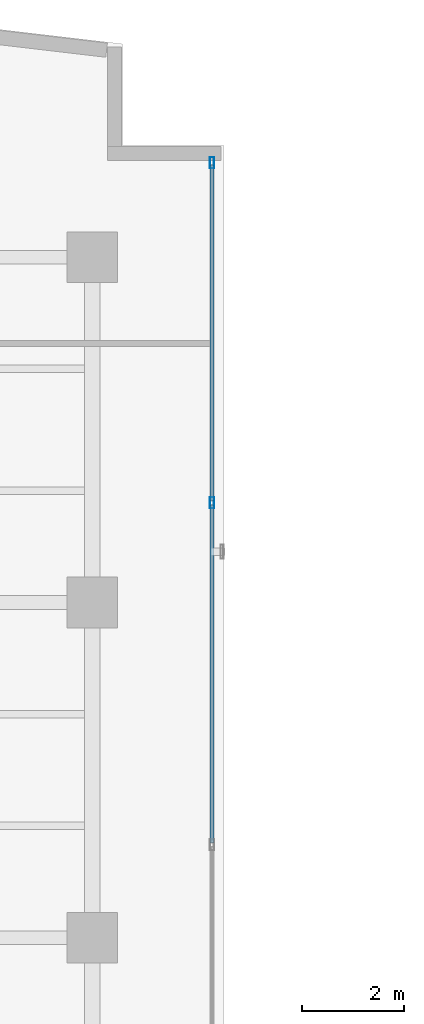
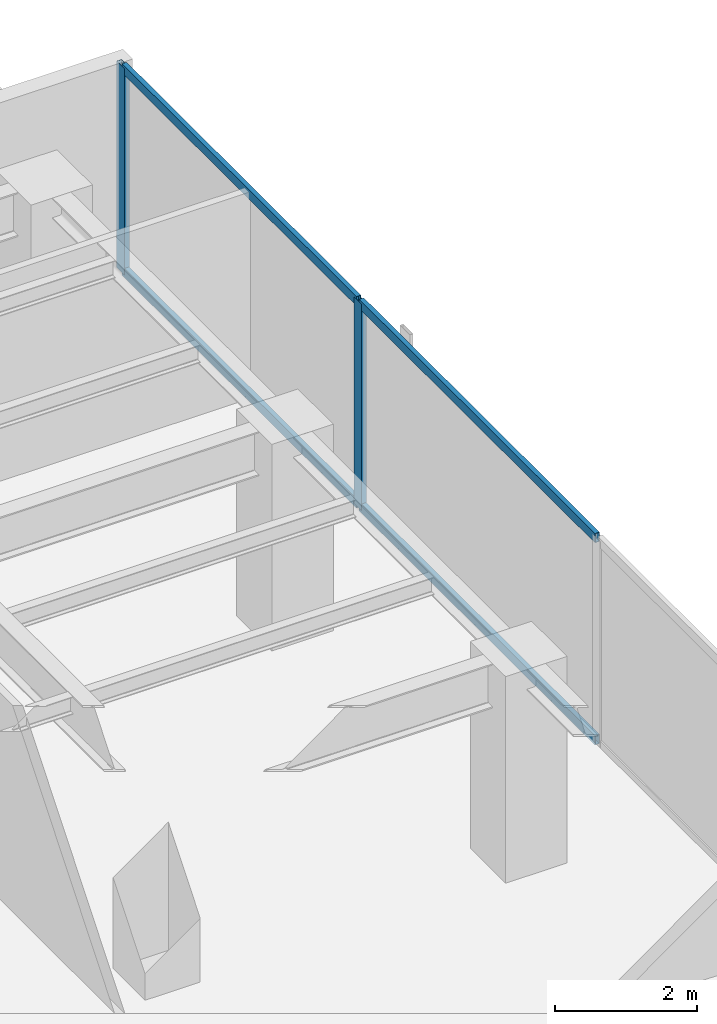
# One storey, part 15 of 22: 6 members, 1 element without a shape of its own.
"""IFC4 building model written with IfcOpenShell, lengths in metres."""

import ifcopenshell
import ifcopenshell.guid

model = None  # the IFC model being written
_history = None  # IfcOwnerHistory: only IFC2X3 demands one
_inside = {}  # id of a spatial element -> (the spatial element, [elements in it])
_under = {}  # id of a project, library or spatial element -> (it, [spatial elements below it])
_declared = {}  # id of a project -> (the project, [libraries it declares])
_typed = {}  # id of a type object -> (the type object, [elements of that type])
_made_of = {}  # id of a material, layer set ... -> (it, [elements and type objects made of it])


def new_model(schema):
    """Start an empty IFC model of exactly this schema.

    Asked for "IFC4X3", IfcOpenShell would pick the latest addendum, in which some entities
    have other attributes; the version numbers below select the first issue.
    IFC2X3 requires an IfcOwnerHistory on every rooted entity: one is made here for all.
    """
    global model, _history
    if schema == "IFC4X3":
        model = ifcopenshell.file(schema_version=(4, 3, 0, 0))
    else:
        model = ifcopenshell.file(schema=schema)
    _inside.clear()
    _under.clear()
    _declared.clear()
    _typed.clear()
    _made_of.clear()
    _history = None
    if model.schema == "IFC2X3":
        org = make("IfcOrganization", Name="unknown")
        user = make(
            "IfcPersonAndOrganization",
            ThePerson=make("IfcPerson", FamilyName="unknown"),
            TheOrganization=org,
        )
        app = make(
            "IfcApplication",
            ApplicationDeveloper=org,
            Version="unknown",
            ApplicationFullName="unknown",
            ApplicationIdentifier="unknown",
        )
        _history = make(
            "IfcOwnerHistory",
            OwningUser=user,
            OwningApplication=app,
            ChangeAction="ADDED",
            CreationDate=0,
        )
    return model


def make(cls, **values):
    """One entity of the class cls with the attributes given. An attribute that is None is left unset."""
    return model.create_entity(
        cls, **{name: value for name, value in values.items() if value is not None}
    )


def rooted(cls, **values):
    """An entity with a GlobalId (a new one), such as an element, a storey or a relation."""
    return make(cls, GlobalId=ifcopenshell.guid.new(), OwnerHistory=_history, **values)


def si_unit(unit_type, name, prefix=None):
    """IfcSIUnit, for example si_unit("LENGTHUNIT", "METRE", prefix="MILLI")."""
    return make("IfcSIUnit", UnitType=unit_type, Prefix=prefix, Name=name)


def assignment(units):
    """IfcUnitAssignment: the units of a project."""
    return None if units is None else make("IfcUnitAssignment", Units=units)


def point(xyz):
    """IfcCartesianPoint."""
    return None if xyz is None else make("IfcCartesianPoint", Coordinates=xyz)


def direction(xyz):
    """IfcDirection."""
    return None if xyz is None else make("IfcDirection", DirectionRatios=xyz)


def frame(location, z_axis=None, x_axis=None):
    """IfcAxis2Placement3D, a coordinate frame: its origin and axes. An axis left out is left unset."""
    return make(
        "IfcAxis2Placement3D",
        Location=point(location),
        Axis=direction(z_axis),
        RefDirection=direction(x_axis),
    )


def frame_2d(location, x_axis=None):
    """IfcAxis2Placement2D, a coordinate frame in the plane: its origin and x axis."""
    return make(
        "IfcAxis2Placement2D", Location=point(location), RefDirection=direction(x_axis)
    )


def origin():
    """The frame at (0, 0, 0) with its axes left unset."""
    return frame((0.0, 0.0, 0.0))


def origin_with_axes():
    """The frame at (0, 0, 0) with the z axis (0, 0, 1) and the x axis (1, 0, 0) written out."""
    return frame((0.0, 0.0, 0.0), z_axis=(0.0, 0.0, 1.0), x_axis=(1.0, 0.0, 0.0))


def origin_2d():
    """The frame at (0, 0) in the plane with its x axis left unset."""
    return frame_2d((0.0, 0.0))


def place(relative_to, where):
    """IfcLocalPlacement: puts the frame where relative to a parent placement (None: the world)."""
    return make(
        "IfcLocalPlacement", PlacementRelTo=relative_to, RelativePlacement=where
    )


def context(
    kind, dimensions, precision=None, world=None, true_north=None, identifier=None
):
    """IfcGeometricRepresentationContext, for example the 3D "Model" context."""
    return make(
        "IfcGeometricRepresentationContext",
        ContextIdentifier=identifier,
        ContextType=kind,
        CoordinateSpaceDimension=dimensions,
        Precision=precision,
        WorldCoordinateSystem=world,
        TrueNorth=true_north,
    )


def subcontext(parent, identifier, kind, view, scale=None):
    """IfcGeometricRepresentationSubContext, for example "Body" below "Model"."""
    return make(
        "IfcGeometricRepresentationSubContext",
        ContextIdentifier=identifier,
        ContextType=kind,
        ParentContext=parent,
        TargetScale=scale,
        TargetView=view,
    )


def project(units=None, contexts=None):
    """IfcProject with its units and contexts."""
    return rooted(
        "IfcProject",
        Name="project",
        RepresentationContexts=contexts,
        UnitsInContext=assignment(units),
    )


def spatial(cls, under=None, at=None, **own):
    """A site, building, storey or space (cls), placed at a placement, below another one or the project."""
    s = rooted(cls, ObjectPlacement=at, **own)
    if under is not None:
        _under.setdefault(under.id(), (under, []))[1].append(s)
    return s


def profile(cls, at=None, kind="AREA", **sizes):
    """A parametric profile (cls). Its sizes go by their IFC names, for example OverallWidth=200.0."""
    return make(cls, ProfileType=kind, Position=at, **sizes)


def hollow_rectangle(**sizes):
    """IfcRectangleHollowProfileDef."""
    return profile("IfcRectangleHollowProfileDef", **sizes)


def extrude(swept, where, along, depth):
    """IfcExtrudedAreaSolid: the profile swept, set in the frame where, extruded along a direction by depth."""
    return make(
        "IfcExtrudedAreaSolid",
        SweptArea=swept,
        Position=where,
        ExtrudedDirection=direction(along),
        Depth=depth,
    )


def shape(context_of_items, identifier, shape_type, items):
    """IfcShapeRepresentation: the items that make up one representation, for example the "Body"."""
    return make(
        "IfcShapeRepresentation",
        ContextOfItems=context_of_items,
        RepresentationIdentifier=identifier,
        RepresentationType=shape_type,
        Items=items,
    )


def source(mapping_origin, context_of_items, identifier, shape_type, items):
    """IfcRepresentationMap: a shape defined once, which mapped items show again and again."""
    return make(
        "IfcRepresentationMap",
        MappingOrigin=mapping_origin,
        MappedRepresentation=shape(context_of_items, identifier, shape_type, items),
    )


def transform(
    local_origin,
    x_axis=None,
    y_axis=None,
    z_axis=None,
    scale=None,
    scale2=None,
    scale3=None,
    uniform=True,
):
    """IfcCartesianTransformationOperator3D, or its non-uniform kind. x_axis, y_axis, z_axis: its Axis1, 2, 3."""
    if uniform:
        return make(
            "IfcCartesianTransformationOperator3D",
            Axis1=direction(x_axis),
            Axis2=direction(y_axis),
            LocalOrigin=point(local_origin),
            Scale=scale,
            Axis3=direction(z_axis),
        )
    return make(
        "IfcCartesianTransformationOperator3DnonUniform",
        Axis1=direction(x_axis),
        Axis2=direction(y_axis),
        LocalOrigin=point(local_origin),
        Scale=scale,
        Axis3=direction(z_axis),
        Scale2=scale2,
        Scale3=scale3,
    )


def mapped(mapping_source, mapping_target):
    """IfcMappedItem: shows the shape of a source again, moved by a transform."""
    return make(
        "IfcMappedItem", MappingSource=mapping_source, MappingTarget=mapping_target
    )


def material(Name=None, Category=None):
    """IfcMaterial."""
    return make("IfcMaterial", Name=Name, Category=Category)


def layer(
    of_material, thickness, ventilated=None, Name=None, Category=None, Priority=None
):
    """IfcMaterialLayer: one layer of a wall or slab, of a material (None: an air gap)."""
    return make(
        "IfcMaterialLayer",
        Material=of_material,
        LayerThickness=thickness,
        IsVentilated=ventilated,
        Name=Name,
        Category=Category,
        Priority=Priority,
    )


def layer_set(layers, Name=None):
    """IfcMaterialLayerSet."""
    return make("IfcMaterialLayerSet", MaterialLayers=layers, LayerSetName=Name)


def material_profile(
    of_material, cross_section, Name=None, Category=None, Priority=None
):
    """IfcMaterialProfile: a cross section and its material."""
    return make(
        "IfcMaterialProfile",
        Name=Name,
        Material=of_material,
        Profile=cross_section,
        Priority=Priority,
        Category=Category,
    )


def profile_set(profiles, Name=None, composite=None):
    """IfcMaterialProfileSet."""
    return make(
        "IfcMaterialProfileSet",
        Name=Name,
        MaterialProfiles=profiles,
        CompositeProfile=composite,
    )


def made_of(thing, what):
    """Note that an element or type object is made of a material, layer set ...; save() writes the relation."""
    if what is not None:
        _made_of.setdefault(what.id(), (what, []))[1].append(thing)
    return thing


def type_object(cls, material=None, **own):
    """A type object (cls), such as IfcWallType, which elements share."""
    return made_of(rooted(cls, **own), material)


def element(
    cls,
    number,
    at=None,
    inside=None,
    cuts=None,
    type_object=None,
    material=None,
    context=None,
    identifier="Body",
    shape_type=None,
    held_by="IfcProductDefinitionShape",
    body=None,
    shapes=None,
    **own,
):
    """One element of the class cls, such as IfcWall. Its Tag is "e" and its number.

    at: its placement. inside: the storey or other place that contains it. cuts: it is an
    opening in that element (IfcRelVoidsElement). A single representation is given by context,
    identifier, shape_type and body (its items); several are given by shapes. held_by: the class
    of the entity that holds the representations. save() writes the other relations.
    """
    e = rooted(cls, Tag="e%d" % number, ObjectPlacement=at, **own)
    if body is not None:
        shapes = [shape(context, identifier, shape_type, body)]
    if shapes is not None:
        e.Representation = make(held_by, Representations=shapes)
    if inside is not None:
        _inside.setdefault(inside.id(), (inside, []))[1].append(e)
    if cuts is not None:
        rooted(
            "IfcRelVoidsElement", RelatingBuildingElement=cuts, RelatedOpeningElement=e
        )
    if type_object is not None:
        _typed.setdefault(type_object.id(), (type_object, []))[1].append(e)
    return made_of(e, material)


def aggregate(whole, parts):
    """IfcRelAggregates: a whole, such as a stair, and the parts it consists of."""
    return rooted("IfcRelAggregates", RelatingObject=whole, RelatedObjects=parts)


def save(model, path):
    """Write the relations noted so far, then the file.

    IfcRelAggregates (storeys below a building ...), IfcRelContainedInSpatialStructure (elements
    in a storey), IfcRelDefinesByType, IfcRelAssociatesMaterial and IfcRelDeclares: one each for
    every whole, place, type object, material and project.
    """
    for whole, parts in _under.values():
        aggregate(whole, parts)
    for where, things in _inside.values():
        rooted(
            "IfcRelContainedInSpatialStructure",
            RelatedElements=things,
            RelatingStructure=where,
        )
    for kind, things in _typed.values():
        rooted("IfcRelDefinesByType", RelatedObjects=things, RelatingType=kind)
    for what, things in _made_of.values():
        rooted("IfcRelAssociatesMaterial", RelatedObjects=things, RelatingMaterial=what)
    for by, libraries in _declared.values():
        rooted("IfcRelDeclares", RelatingContext=by, RelatedDefinitions=libraries)
    model.write(path)


model = new_model("IFC4")

# Units and contexts
model_context = context("Model", 3, precision=1e-05, world=origin(), true_north=direction((0.0, 1.0)))
body_context = subcontext(model_context, "Body", "Model", "MODEL_VIEW")
ifc_project = project(units=[si_unit("LENGTHUNIT", "METRE"), si_unit("AREAUNIT", "SQUARE_METRE"), si_unit("VOLUMEUNIT", "CUBIC_METRE"), si_unit("PLANEANGLEUNIT", "RADIAN"), si_unit("MASSUNIT", "GRAM", prefix="KILO")], contexts=[model_context])

# Site, building, storey
site_placement = place(None, origin())
site = spatial("IfcSite", under=ifc_project, at=site_placement, CompositionType="ELEMENT")
building_placement = place(site_placement, origin())
building = spatial("IfcBuilding", under=site, at=building_placement, Name="Kolvaren Waterfront Exchange", CompositionType="ELEMENT")
storey_placement = place(building_placement, frame((0.0, 0.0, 246.300048828125)))
storey = spatial("IfcBuildingStorey", under=building, at=storey_placement, Name="L63", CompositionType="ELEMENT", Elevation=246.300048828125)

# Curtain wall, members
ifc_material_1 = material(Name="Anodised bronze aluminium 6063-T6", Category="aluminium")
ifc_layer = layer(ifc_material_1, 0.219970703125, Name="Anodised bronze aluminium 6063-T6")
ifc_layer_set = layer_set([ifc_layer], Name="Anodised bronze aluminium 6063-T6")
curtain_wall_type = type_object("IfcCurtainWallType", Name="ARC-CW-SYS1", PredefinedType="USERDEFINED", material=ifc_layer_set)
curtain_wall_placement = place(storey_placement, origin())
curtain_wall = element("IfcCurtainWall", 1, at=curtain_wall_placement, inside=storey, type_object=curtain_wall_type, Name="L63 stick curtain wall CW1 (CW-L63-NE)", ObjectType="STICK CURTAIN WALL", PredefinedType="USERDEFINED")
ifc_material_2 = material(Name="Anodised aluminium 6063-T6", Category="aluminium")
ifc_material_profile_1 = material_profile(ifc_material_2, hollow_rectangle(XDim=0.080078125, YDim=0.219970703125, WallThickness=0.0048828125, at=origin_2d()), Name="ALU-MUL-220x80x5")
ifc_profile_set_1 = profile_set([ifc_material_profile_1], Name="Anodised aluminium 6063-T6")
member_type_1 = type_object("IfcMemberType", Name="ARC-CWM-220", PredefinedType="MULLION", material=ifc_profile_set_1)
shared_shape_1 = source(origin_with_axes(), body_context, "Body", "SweptSolid", [
    extrude(hollow_rectangle(XDim=0.080078125, YDim=0.219970703125, WallThickness=0.0048828125, at=origin_2d()), origin(), (0.0, 0.0, 1.0), 3.56005859375),
])
member_1_placement = place(storey_placement, frame((21.159912109375, 39.763427734375, 0.0), z_axis=(0.0, 0.0, 1.0), x_axis=(-1.0, 0.0, 0.0)))
member_1 = element("IfcMember", 2, at=member_1_placement, type_object=member_type_1, Name="CW1 mullion 3", PredefinedType="MULLION", context=body_context, shape_type="MappedRepresentation", body=[
    mapped(shared_shape_1, transform((0.0, 0.0, 0.0), x_axis=(1.0, 0.0, 0.0), y_axis=(0.0, 1.0, 0.0), z_axis=(0.0, 0.0, 1.0), scale=1.0)),
])
member_2_placement = place(storey_placement, frame((21.159912109375, 46.4599609375, 0.0), z_axis=(0.0, 0.0, 1.0), x_axis=(-1.0, 0.0, 0.0)))
member_2 = element("IfcMember", 3, at=member_2_placement, type_object=member_type_1, Name="CW1 mullion 4", PredefinedType="MULLION", context=body_context, shape_type="MappedRepresentation", body=[
    mapped(shared_shape_1, transform((0.0, 0.0, 0.0), x_axis=(1.0, 0.0, 0.0), y_axis=(0.0, 1.0, 0.0), z_axis=(0.0, 0.0, 1.0), scale=1.0)),
])
ifc_material_profile_2 = material_profile(ifc_material_2, hollow_rectangle(XDim=0.074951171875, YDim=0.159912109375, WallThickness=0.00439453125, at=origin_2d()), Name="ALU-TRN-160x75x4.5")
ifc_profile_set_2 = profile_set([ifc_material_profile_2], Name="Anodised aluminium 6063-T6")
member_type_2 = type_object("IfcMemberType", Name="ARC-CWT-160", PredefinedType="USERDEFINED", material=ifc_profile_set_2)
shared_shape_2 = source(origin_with_axes(), body_context, "Body", "SweptSolid", [
    extrude(hollow_rectangle(XDim=0.074951171875, YDim=0.159912109375, WallThickness=0.00439453125, at=origin_2d()), origin(), (0.0, 0.0, 1.0), 6.65673828125),
])
member_3_placement = place(storey_placement, frame((21.159912109375, 33.066650390625, 0.037353515625), z_axis=(0.0, 1.0, 0.0), x_axis=(-1.0, 0.0, 0.0)))
member_3 = element("IfcMember", 4, at=member_3_placement, type_object=member_type_2, Name="CW1 transom 2.1", ObjectType="TRANSOM", PredefinedType="USERDEFINED", context=body_context, shape_type="MappedRepresentation", body=[
    mapped(shared_shape_2, transform((0.0, 0.0, 0.0), x_axis=(1.0, 0.0, 0.0), y_axis=(0.0, 1.0, 0.0), z_axis=(0.0, 0.0, 1.0), scale=1.0)),
])
member_4_placement = place(storey_placement, frame((21.159912109375, 33.066650390625, 3.5224609375), z_axis=(0.0, 1.0, 0.0), x_axis=(-1.0, 0.0, 0.0)))
member_4 = element("IfcMember", 5, at=member_4_placement, type_object=member_type_2, Name="CW1 transom 2.2", ObjectType="TRANSOM", PredefinedType="USERDEFINED", context=body_context, shape_type="MappedRepresentation", body=[
    mapped(shared_shape_2, transform((0.0, 0.0, 0.0), x_axis=(1.0, 0.0, 0.0), y_axis=(0.0, 1.0, 0.0), z_axis=(0.0, 0.0, 1.0), scale=1.0)),
])
shared_shape_3 = source(origin_with_axes(), body_context, "Body", "SweptSolid", [
    extrude(hollow_rectangle(XDim=0.074951171875, YDim=0.159912109375, WallThickness=0.00439453125, at=origin_2d()), origin(), (0.0, 0.0, 1.0), 6.61669921875),
])
member_5_placement = place(storey_placement, frame((21.159912109375, 39.80322265625, 0.037353515625), z_axis=(0.0, 1.0, 0.0), x_axis=(-1.0, 0.0, 0.0)))
member_5 = element("IfcMember", 6, at=member_5_placement, type_object=member_type_2, Name="CW1 transom 3.1", ObjectType="TRANSOM", PredefinedType="USERDEFINED", context=body_context, shape_type="MappedRepresentation", body=[
    mapped(shared_shape_3, transform((0.0, 0.0, 0.0), x_axis=(1.0, 0.0, 0.0), y_axis=(0.0, 1.0, 0.0), z_axis=(0.0, 0.0, 1.0), scale=1.0)),
])
member_6_placement = place(storey_placement, frame((21.159912109375, 39.80322265625, 3.5224609375), z_axis=(0.0, 1.0, 0.0), x_axis=(-1.0, 0.0, 0.0)))
member_6 = element("IfcMember", 7, at=member_6_placement, type_object=member_type_2, Name="CW1 transom 3.2", ObjectType="TRANSOM", PredefinedType="USERDEFINED", context=body_context, shape_type="MappedRepresentation", body=[
    mapped(shared_shape_3, transform((0.0, 0.0, 0.0), x_axis=(1.0, 0.0, 0.0), y_axis=(0.0, 1.0, 0.0), z_axis=(0.0, 0.0, 1.0), scale=1.0)),
])
aggregate(curtain_wall, [member_1, member_2, member_3, member_4, member_5, member_6])

save(model, "model.ifc")
